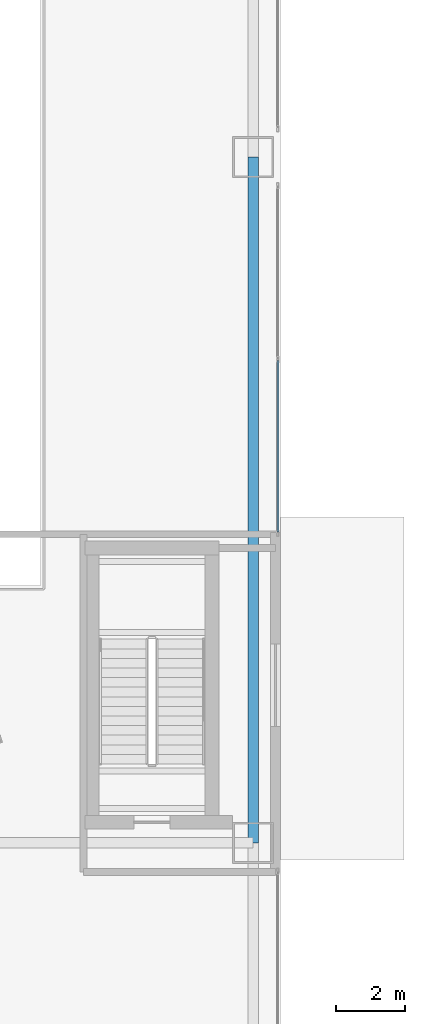
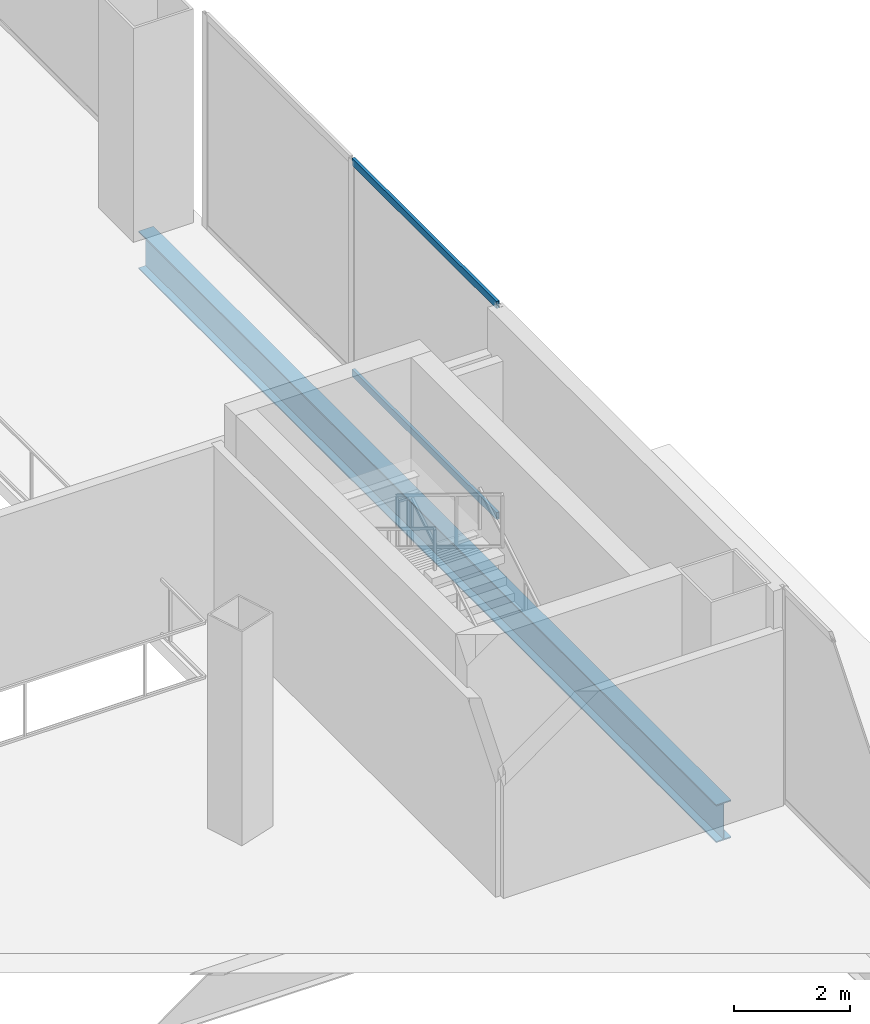
# One storey, part 30 of 58: 2 members, 1 beam, 1 element without a shape of its own.
"""IFC4 building model written with IfcOpenShell, lengths in metres."""

from ifc_helpers import new_model, si_unit, direction, frame, origin, origin_2d, place, context, subcontext, project, spatial, hollow_rectangle, i_section, extrude, source, transform, mapped, material, layer, layer_set, material_profile, profile_set, type_object, element, aggregate, save


model = new_model("IFC4")

# Units and contexts
model_context = context("Model", 3, precision=1e-05, world=origin(), true_north=direction((0.0, 1.0)))
body_context = subcontext(model_context, "Body", "Model", "MODEL_VIEW")
ifc_project = project(units=[si_unit("LENGTHUNIT", "METRE"), si_unit("AREAUNIT", "SQUARE_METRE"), si_unit("VOLUMEUNIT", "CUBIC_METRE"), si_unit("PLANEANGLEUNIT", "RADIAN"), si_unit("MASSUNIT", "GRAM", prefix="KILO"), si_unit("THERMODYNAMICTEMPERATUREUNIT", "KELVIN"), si_unit("POWERUNIT", "WATT")], contexts=[model_context])

# Site, building, storey
site_placement = place(None, origin())
site = spatial("IfcSite", under=ifc_project, at=site_placement, CompositionType="ELEMENT")
building_placement = place(site_placement, origin())
building = spatial("IfcBuilding", under=site, at=building_placement, Name="Yunzhuo Pagoda Commons", CompositionType="ELEMENT")
storey_placement = place(building_placement, origin())
storey = spatial("IfcBuildingStorey", under=building, at=storey_placement, Name="L01", CompositionType="ELEMENT", Elevation=0.0)

# Beam
ifc_material_1 = material(Name="Structural steel Q355B", Category="steel")
ifc_material_profile_1 = material_profile(ifc_material_1, i_section(OverallWidth=0.300048828125, OverallDepth=0.800048828125, WebThickness=0.013916015625, FlangeThickness=0.02587890625, at=origin_2d()), Name="Structural steel Q355B")
ifc_profile_set_1 = profile_set([ifc_material_profile_1], Name="Structural steel Q355B")
beam_type = type_object("IfcBeamType", Name="B-PD2 Beam HN 800x300x14x26", PredefinedType="BEAM", material=ifc_profile_set_1)
shared_shape_1 = source(origin(), body_context, "Body", "SweptSolid", [
    extrude(i_section(OverallWidth=0.300048828125, OverallDepth=0.800048828125, WebThickness=0.013916015625, FlangeThickness=0.02587890625, at=origin_2d()), origin(), (0.0, 0.0, 1.0), 20.0),
])
beam_placement = place(storey_placement, frame((91.199951171875, 42.0, -0.679931640625), z_axis=(0.0, 1.0, 0.0), x_axis=(-1.0, 0.0, 0.0)))
element("IfcBeam", 1, at=beam_placement, inside=storey, type_object=beam_type, Name="L01 podium girder NS 6.3", PredefinedType="BEAM", context=body_context, shape_type="MappedRepresentation", body=[
    mapped(shared_shape_1, transform((0.0, 0.0, 0.0), scale=1.0)),
])

# Curtain wall, members
ifc_material_2 = material(Name="Anodized aluminium 6063-T6", Category="aluminium")
ifc_layer = layer(ifc_material_2, 0.179931640625)
ifc_layer_set = layer_set([ifc_layer], Name="Anodized aluminium 6063-T6")
curtain_wall_type = type_object("IfcCurtainWallType", Name="CW-POD Waterfront Podium Curtain Wall", PredefinedType="NOTDEFINED", material=ifc_layer_set)
curtain_wall_placement = place(storey_placement, origin())
curtain_wall = element("IfcCurtainWall", 2, at=curtain_wall_placement, inside=storey, type_object=curtain_wall_type, Name="L01 curtain wall CW-L01-E3", PredefinedType="NOTDEFINED")
ifc_material_profile_2 = material_profile(ifc_material_2, hollow_rectangle(XDim=0.06005859375, YDim=0.14990234375, WallThickness=0.00390625, at=origin_2d()), Name="Anodized aluminium 6063-T6")
ifc_profile_set_2 = profile_set([ifc_material_profile_2], Name="Anodized aluminium 6063-T6")
member_type = type_object("IfcMemberType", Name="CW-POD-T Transom RHS 150x60x4", PredefinedType="USERDEFINED", material=ifc_profile_set_2)
shared_shape_2 = source(origin(), body_context, "Body", "SweptSolid", [
    extrude(hollow_rectangle(XDim=0.06005859375, YDim=0.14990234375, WallThickness=0.00390625, at=origin_2d()), origin(), (0.0, 0.0, 1.0), 5.00244140625),
])
member_1_placement = place(storey_placement, frame((91.919921875, 51.06494140625, 0.030029296875), z_axis=(0.0, 1.0, 0.0), x_axis=(-1.0, 0.0, 0.0)))
member_1 = element("IfcMember", 3, at=member_1_placement, type_object=member_type, Name="CW transom 1.1", ObjectType="TRANSOM", PredefinedType="USERDEFINED", context=body_context, shape_type="MappedRepresentation", body=[
    mapped(shared_shape_2, transform((0.0, 0.0, 0.0), scale=1.0)),
])
member_2_placement = place(storey_placement, frame((91.919921875, 51.06494140625, 4.489990234375), z_axis=(0.0, 1.0, 0.0), x_axis=(-1.0, 0.0, 0.0)))
member_2 = element("IfcMember", 4, at=member_2_placement, type_object=member_type, Name="CW transom 1.2", ObjectType="TRANSOM", PredefinedType="USERDEFINED", context=body_context, shape_type="MappedRepresentation", body=[
    mapped(shared_shape_2, transform((0.0, 0.0, 0.0), scale=1.0)),
])
aggregate(curtain_wall, [member_1, member_2])

save(model, "model.ifc")
